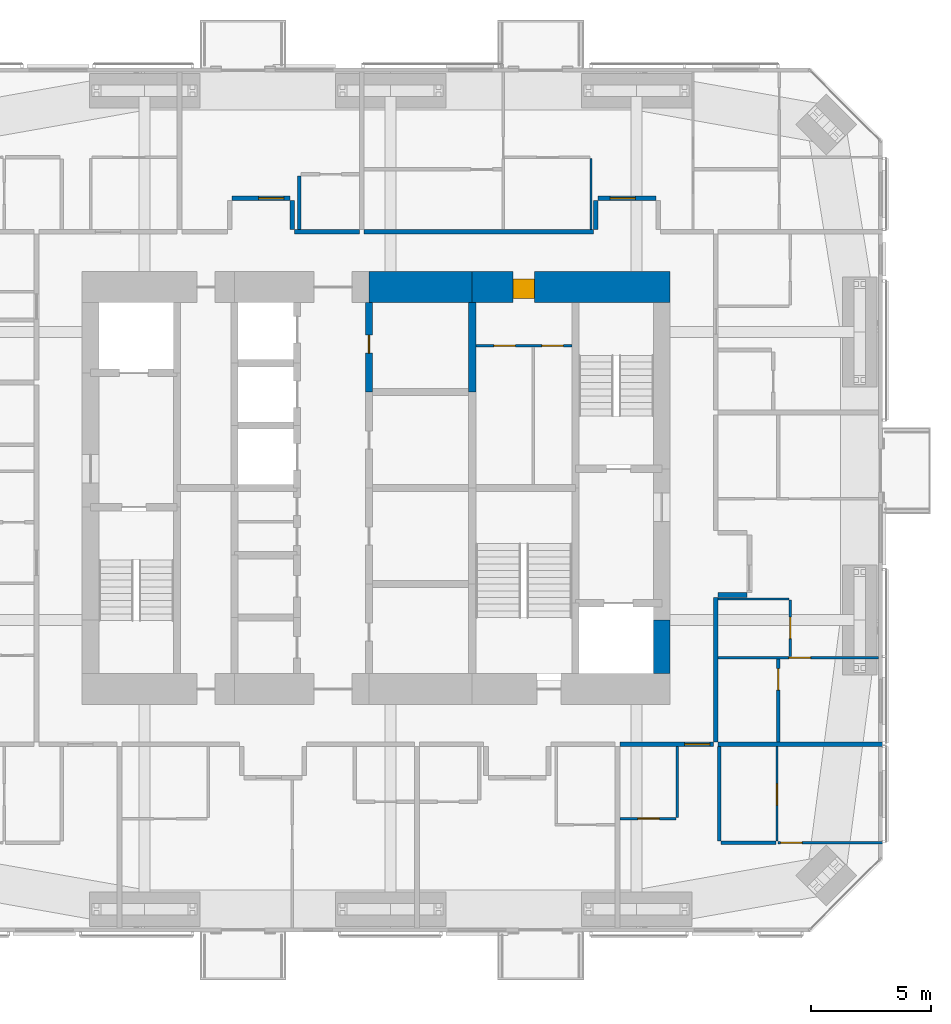
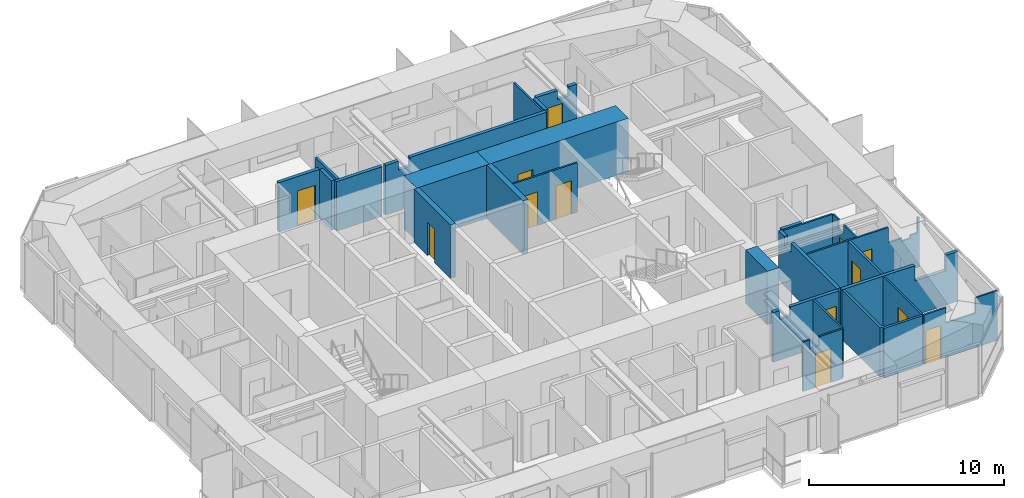
# One storey, part 19 of 23: 28 walls, 13 doors, 13 openings.
"""IFC4 building model written with IfcOpenShell, lengths in metres."""

from ifc_helpers import new_model, si_unit, direction, frame, frame_2d, origin, place, context, subcontext, project, spatial, polyline, rectangle, outline, extrude, material, layer, layer_set, constituent, constituent_set, type_object, element, fill, save


model = new_model("IFC4")

# Units and contexts
model_context = context("Model", 3, precision=1e-05, world=origin(), true_north=direction((0.0, 1.0)))
body_context = subcontext(model_context, "Body", "Model", "MODEL_VIEW")
ifc_project = project(units=[si_unit("LENGTHUNIT", "METRE"), si_unit("AREAUNIT", "SQUARE_METRE"), si_unit("VOLUMEUNIT", "CUBIC_METRE"), si_unit("PLANEANGLEUNIT", "RADIAN"), si_unit("MASSUNIT", "GRAM", prefix="KILO")], contexts=[model_context])

# Site, building, storey
site_placement = place(None, origin())
site = spatial("IfcSite", under=ifc_project, at=site_placement, CompositionType="ELEMENT")
building_placement = place(site_placement, origin())
building = spatial("IfcBuilding", under=site, at=building_placement, Name="Jalousie Tower", CompositionType="ELEMENT")
storey_placement = place(building_placement, frame((0.0, 0.0, 164.39990234375)))
storey = spatial("IfcBuildingStorey", under=building, at=storey_placement, Name="L44", CompositionType="ELEMENT", Elevation=164.39990234375)

# Walls
ifc_material_1 = material(Name="Concrete block ASTM C90", Category="concrete")
ifc_constituent_1 = constituent(ifc_material_1, Name="Body")
ifc_material_2 = material(Name="Render")
ifc_constituent_2 = constituent(ifc_material_2, Name="Finish")
ifc_constituent_set_1 = constituent_set(constituents=[ifc_constituent_1, ifc_constituent_2])
wall_type_1 = type_object("IfcWallType", Name="BATHROOM WALL 150", PredefinedType="PLUMBINGWALL", material=ifc_constituent_set_1)
wall_1_placement = place(storey_placement, frame((46.27490234375, 3.72119140625, 0.0), z_axis=(0.0, 0.0, 1.0), x_axis=(1.0, 0.0, 0.0)))
element("IfcWall", 1, at=wall_1_placement, inside=storey, type_object=wall_type_1, Name="Bathroom Wall 150 L44", PredefinedType="PLUMBINGWALL", context=body_context, shape_type="SweptSolid", body=[
    extrude(rectangle(XDim=2.275146484375, YDim=0.14990234375, at=frame_2d((1.1376953125, 0.0))), origin(), (0.0, 0.0, 1.0), 3.110107421875),
])
wall_2_placement = place(storey_placement, frame((46.199951171875, 3.79638671875, 0.0), z_axis=(0.0, 0.0, 1.0), x_axis=(0.0, 1.0, 0.0)))
element("IfcWall", 2, at=wall_2_placement, inside=storey, type_object=wall_type_1, Name="Bathroom Wall 150 L44", PredefinedType="PLUMBINGWALL", context=body_context, shape_type="SweptSolid", body=[
    extrude(rectangle(XDim=3.9287109375, YDim=0.14990234375, at=frame_2d((1.96435546875, 0.0))), origin(), (0.0, 0.0, 1.0), 3.110107421875),
])
wall_3_placement = place(storey_placement, frame((28.699951171875, 31.5, 0.0), z_axis=(0.0, 0.0, 1.0), x_axis=(0.0, -1.0, 0.0)))
element("IfcWall", 3, at=wall_3_placement, inside=storey, type_object=wall_type_1, Name="Bathroom Wall 150 L44", PredefinedType="PLUMBINGWALL", context=body_context, shape_type="SweptSolid", body=[
    extrude(rectangle(XDim=2.22509765625, YDim=0.14990234375, at=frame_2d((1.112548828125, 0.0))), origin(), (0.0, 0.0, 1.0), 3.110107421875),
])

# Wall, opening, door
wall_4_placement = place(storey_placement, frame((48.64990234375, 7.925048828125, 0.0), z_axis=(0.0, 0.0, 1.0), x_axis=(0.0, 1.0, 0.0)))
wall_4 = element("IfcWall", 4, at=wall_4_placement, inside=storey, type_object=wall_type_1, Name="Bathroom Wall 150 L44", PredefinedType="PLUMBINGWALL", context=body_context, shape_type="SweptSolid", body=[
    extrude(rectangle(XDim=3.449951171875, YDim=0.14990234375, at=frame_2d((1.72509765625, 0.0))), origin(), (0.0, 0.0, 1.0), 3.110107421875),
])
opening_1_placement = place(wall_4_placement, frame((2.14990234375, 0.0, 0.0)))
opening_1 = element("IfcOpeningElement", 5, at=opening_1_placement, cuts=wall_4, Name="Opening D3", PredefinedType="OPENING", context=body_context, shape_type="SweptSolid", body=[
    extrude(rectangle(XDim=0.89990234375, YDim=2.10009765625, at=frame_2d((0.449951171875, 1.050048828125))), frame((0.0, 0.0849609375, 0.0), z_axis=(0.0, -1.0, 0.0), x_axis=(1.0, 0.0, 0.0)), (0.0, 0.0, 1.0), 0.169921875),
])
ifc_material_3 = material(Name="Timber door", Category="wood")
door_type_1 = type_object("IfcDoorType", Name="BATHROOM DOOR 900", OperationType="SINGLE_SWING_LEFT", PredefinedType="DOOR", material=ifc_material_3)
door_1_placement = place(opening_1_placement, origin())
door_1 = element("IfcDoor", 6, at=door_1_placement, inside=storey, type_object=door_type_1, Name="Apartment 4410 bedroom 1 bathroom door", OperationType="SINGLE_SWING_RIGHT", OverallHeight=2.10009765625, OverallWidth=0.89990234375, PredefinedType="DOOR", context=body_context, shape_type="SweptSolid", body=[
    extrude(rectangle(XDim=0.89990234375, YDim=2.10009765625, at=frame_2d((0.449951171875, 1.050048828125))), frame((0.0, 0.02490234375, 0.0), z_axis=(0.0, -1.0, 0.0), x_axis=(1.0, 0.0, 0.0)), (0.0, 0.0, 1.0), 0.050048828125),
])
fill(opening_1, door_1)

ifc_material_4 = material(Name="Concrete f'c 120 MPa", Category="concrete")
ifc_layer_1 = layer(ifc_material_4, 1.300048828125)
ifc_layer_set_1 = layer_set([ifc_layer_1], Name="Concrete f'c 120 MPa")
wall_type_2 = type_object("IfcWallType", Name="CORE WALL 1300", PredefinedType="SHEAR", material=ifc_layer_set_1)
wall_5_placement = place(storey_placement, frame((44.14990234375, 26.875, 0.0), z_axis=(0.0, 0.0, 1.0), x_axis=(-1.0, 0.0, 0.0)))
wall_5 = element("IfcWall", 7, at=wall_5_placement, inside=storey, type_object=wall_type_2, Name="Core wall NA L44", PredefinedType="SHEAR", context=body_context, shape_type="SweptSolid", body=[
    extrude(rectangle(XDim=8.25, YDim=1.300048828125, at=frame_2d((4.125, 0.0))), origin(), (0.0, 0.0, 1.0), 3.35009765625),
])
opening_2_placement = place(wall_5_placement, frame((5.64990234375, 0.0, 0.0)))
opening_2 = element("IfcOpeningElement", 8, at=opening_2_placement, cuts=wall_5, Name="Opening D25", PredefinedType="OPENING", context=body_context, shape_type="SweptSolid", body=[
    extrude(rectangle(XDim=0.89990234375, YDim=2.10009765625, at=frame_2d((0.449951171875, 1.050048828125))), frame((0.0, 0.659912109375, 0.0), z_axis=(0.0, -1.0, 0.0), x_axis=(1.0, 0.0, 0.0)), (0.0, 0.0, 1.0), 1.320068359375),
])
ifc_material_5 = material(Name="Steel fire door", Category="steel")
door_type_2 = type_object("IfcDoorType", Name="SERVICE LOBBY DOOR 900", OperationType="SINGLE_SWING_LEFT", PredefinedType="DOOR", material=ifc_material_5)
door_2_placement = place(opening_2_placement, origin())
door_2 = element("IfcDoor", 9, at=door_2_placement, inside=storey, type_object=door_type_2, Name="Service lobby door", OperationType="SINGLE_SWING_RIGHT", OverallHeight=2.10009765625, OverallWidth=0.89990234375, PredefinedType="DOOR", context=body_context, shape_type="SweptSolid", body=[
    extrude(rectangle(XDim=0.89990234375, YDim=2.10009765625, at=frame_2d((0.449951171875, 1.050048828125))), frame((0.0, 0.47021484375, 0.0), z_axis=(0.0, -1.0, 0.0), x_axis=(1.0, 0.0, 0.0)), (0.0, 0.0, 1.0), 0.800048828125),
])
fill(opening_2, door_2)

# Wall
wall_6_placement = place(storey_placement, frame((35.89990234375, 26.875, 0.0), z_axis=(0.0, 0.0, 1.0), x_axis=(-1.0, 0.0, 0.0)))
element("IfcWall", 10, at=wall_6_placement, inside=storey, type_object=wall_type_2, Name="Core wall NB L44", PredefinedType="SHEAR", context=body_context, shape_type="SweptSolid", body=[
    extrude(rectangle(XDim=4.2998046875, YDim=1.300048828125, at=frame_2d((2.14990234375, 0.0))), origin(), (0.0, 0.0, 1.0), 3.35009765625),
])

# Wall, opening, door
ifc_material_6 = material(Name="Concrete f'c 120 MPa", Category="concrete")
ifc_layer_2 = layer(ifc_material_6, 0.300048828125)
ifc_layer_set_2 = layer_set([ifc_layer_2], Name="Concrete f'c 120 MPa")
wall_type_3 = type_object("IfcWallType", Name="CORE WALL 300", PredefinedType="SHEAR", material=ifc_layer_set_2)
wall_7_placement = place(storey_placement, frame((31.60009765625, 22.5, 0.0), z_axis=(0.0, 0.0, 1.0), x_axis=(0.0, 1.0, 0.0)))
wall_7 = element("IfcWall", 11, at=wall_7_placement, inside=storey, type_object=wall_type_3, Name="Core wall X31.6D L44", PredefinedType="SHEAR", context=body_context, shape_type="SweptSolid", body=[
    extrude(rectangle(XDim=3.72509765625, YDim=0.300048828125, at=frame_2d((1.862548828125, 0.0))), origin(), (0.0, 0.0, 1.0), 3.35009765625),
])
opening_3_placement = place(wall_7_placement, frame((1.625, 0.0, 0.0)))
opening_3 = element("IfcOpeningElement", 12, at=opening_3_placement, cuts=wall_7, Name="Opening D16", PredefinedType="OPENING", context=body_context, shape_type="SweptSolid", body=[
    extrude(rectangle(XDim=0.75, YDim=2.10009765625, at=frame_2d((0.375, 1.050048828125))), frame((0.0, 0.159912109375, 0.0), z_axis=(0.0, -1.0, 0.0), x_axis=(1.0, 0.0, 0.0)), (0.0, 0.0, 1.0), 0.320068359375),
])
ifc_material_7 = material(Name="Steel fire door", Category="steel")
door_type_3 = type_object("IfcDoorType", Name="RISER DOOR 750", OperationType="SINGLE_SWING_LEFT", PredefinedType="DOOR", material=ifc_material_7)
door_3_placement = place(opening_3_placement, frame((0.75, 0.0, 0.0), z_axis=(0.0, 0.0, 1.0), x_axis=(-1.0, 0.0, 0.0)))
door_3 = element("IfcDoor", 13, at=door_3_placement, inside=storey, type_object=door_type_3, Name="Water Services Room door", OperationType="SINGLE_SWING_LEFT", OverallHeight=2.10009765625, OverallWidth=0.75, PredefinedType="DOOR", context=body_context, shape_type="SweptSolid", body=[
    extrude(rectangle(XDim=0.75, YDim=2.10009765625, at=frame_2d((0.375, 1.050048828125))), frame((0.0, 0.02490234375, 0.0), z_axis=(0.0, -1.0, 0.0), x_axis=(1.0, 0.0, 0.0)), (0.0, 0.0, 1.0), 0.050048828125),
])
fill(opening_3, door_3)

# Walls
wall_8_placement = place(storey_placement, frame((35.89990234375, 22.5, 0.0), z_axis=(0.0, 0.0, 1.0), x_axis=(0.0, 1.0, 0.0)))
element("IfcWall", 14, at=wall_8_placement, inside=storey, type_object=wall_type_3, Name="Core wall X35.9D L44", PredefinedType="SHEAR", context=body_context, shape_type="SweptSolid", body=[
    extrude(rectangle(XDim=3.72509765625, YDim=0.300048828125, at=frame_2d((1.862548828125, 0.0))), origin(), (0.0, 0.0, 1.0), 3.35009765625),
])
ifc_material_8 = material(Name="Concrete f'c 120 MPa", Category="concrete")
ifc_layer_3 = layer(ifc_material_8, 0.699951171875)
ifc_layer_set_3 = layer_set([ifc_layer_3], Name="Concrete f'c 120 MPa")
wall_type_4 = type_object("IfcWallType", Name="CORE WALL 700", PredefinedType="SHEAR", material=ifc_layer_set_3)
wall_9_placement = place(storey_placement, frame((43.800048828125, 10.77490234375, 0.0), z_axis=(0.0, 0.0, 1.0), x_axis=(0.0, 1.0, 0.0)))
element("IfcWall", 15, at=wall_9_placement, inside=storey, type_object=wall_type_4, Name="Core wall EA L44", PredefinedType="SHEAR", context=body_context, shape_type="SweptSolid", body=[
    extrude(rectangle(XDim=2.22509765625, YDim=0.699951171875, at=frame_2d((1.112548828125, 0.0))), origin(), (0.0, 0.0, 1.0), 3.35009765625),
])

# Wall, opening, door
ifc_material_9 = material(Name="Concrete block ASTM C90", Category="concrete")
ifc_constituent_3 = constituent(ifc_material_9, Name="Body")
ifc_material_10 = material(Name="Render")
ifc_constituent_4 = constituent(ifc_material_10, Name="Finish")
ifc_constituent_set_2 = constituent_set(constituents=[ifc_constituent_3, ifc_constituent_4])
wall_type_5 = type_object("IfcWallType", Name="CORRIDOR WALL 200", PredefinedType="PARTITIONING", material=ifc_constituent_set_2)
wall_10_placement = place(storey_placement, frame((42.050048828125, 7.824951171875, 0.0), z_axis=(0.0, 0.0, 1.0), x_axis=(1.0, 0.0, 0.0)))
wall_10 = element("IfcWall", 16, at=wall_10_placement, inside=storey, type_object=wall_type_5, Name="Corridor Wall 200 L44", PredefinedType="PARTITIONING", context=body_context, shape_type="SweptSolid", body=[
    extrude(outline(polyline([(0.0, 0.0), (3.89990234375, 0.0), (3.89990234375, 3.110107421875), (1.037353515625, 3.110107421875), (1.037353515625, 2.541015625), (0.362548828125, 2.541015625), (0.362548828125, 3.110107421875), (0.0, 3.110107421875), (0.0, 0.0)])), frame((0.0, 0.10009765625, 0.0), z_axis=(0.0, -1.0, 0.0), x_axis=(1.0, 0.0, 0.0)), (0.0, 0.0, 1.0), 0.199951171875),
])
opening_4_placement = place(wall_10_placement, frame((2.699951171875, 0.0, 0.0)))
opening_4 = element("IfcOpeningElement", 17, at=opening_4_placement, cuts=wall_10, Name="Opening D1", PredefinedType="OPENING", context=body_context, shape_type="SweptSolid", body=[
    extrude(rectangle(XDim=1.050048828125, YDim=2.199951171875, at=frame_2d((0.52490234375, 1.10009765625))), frame((0.0, 0.10986328125, 0.0), z_axis=(0.0, -1.0, 0.0), x_axis=(1.0, 0.0, 0.0)), (0.0, 0.0, 1.0), 0.219970703125),
])
ifc_material_11 = material(Name="Timber fire door", Category="wood")
door_type_4 = type_object("IfcDoorType", Name="APARTMENT ENTRANCE DOOR 1050", OperationType="SINGLE_SWING_LEFT", PredefinedType="DOOR", material=ifc_material_11)
door_4_placement = place(opening_4_placement, frame((1.050048828125, 0.0, 0.0), z_axis=(0.0, 0.0, 1.0), x_axis=(-1.0, 0.0, 0.0)))
door_4 = element("IfcDoor", 18, at=door_4_placement, inside=storey, type_object=door_type_4, Name="Apartment 4404 entrance", OperationType="SINGLE_SWING_RIGHT", OverallHeight=2.199951171875, OverallWidth=1.050048828125, PredefinedType="DOOR", context=body_context, shape_type="SweptSolid", body=[
    extrude(rectangle(XDim=1.050048828125, YDim=2.199951171875, at=frame_2d((0.52490234375, 1.10009765625))), frame((0.0, 0.02490234375, 0.0), z_axis=(0.0, -1.0, 0.0), x_axis=(1.0, 0.0, 0.0)), (0.0, 0.0, 1.0), 0.050048828125),
])
fill(opening_4, door_4)

# Walls
wall_11_placement = place(storey_placement, frame((31.39990234375, 29.175048828125, 0.0), z_axis=(0.0, 0.0, 1.0), x_axis=(1.0, 0.0, 0.0)))
element("IfcWall", 19, at=wall_11_placement, inside=storey, type_object=wall_type_5, Name="Corridor Wall 200 L44", PredefinedType="PARTITIONING", context=body_context, shape_type="SweptSolid", body=[
    extrude(outline(polyline([(0.0, 0.0), (9.550048828125, 0.0), (9.550048828125, 3.110107421875), (1.437255859375, 3.110107421875), (1.437255859375, 2.541015625), (0.7626953125, 2.541015625), (0.7626953125, 3.110107421875), (0.0, 3.110107421875), (0.0, 0.0)])), frame((0.0, 0.10009765625, 0.0), z_axis=(0.0, -1.0, 0.0), x_axis=(1.0, 0.0, 0.0)), (0.0, 0.0, 1.0), 0.199951171875),
])
wall_12_placement = place(storey_placement, frame((46.050048828125, 7.925048828125, 0.0), z_axis=(0.0, 0.0, 1.0), x_axis=(0.0, 1.0, 0.0)))
element("IfcWall", 20, at=wall_12_placement, inside=storey, type_object=wall_type_5, Name="Corridor Wall 200 L44", PredefinedType="PARTITIONING", context=body_context, shape_type="SweptSolid", body=[
    extrude(outline(polyline([(0.0, 0.0), (6.012451171875, 0.0), (6.012451171875, 3.110107421875), (5.412353515625, 3.110107421875), (5.412353515625, 2.541015625), (4.73779296875, 2.541015625), (4.73779296875, 3.110107421875), (0.0, 3.110107421875), (0.0, 0.0)])), frame((0.0, 0.10009765625, 0.0), z_axis=(0.0, -1.0, 0.0), x_axis=(1.0, 0.0, 0.0)), (0.0, 0.0, 1.0), 0.199951171875),
])
wall_13_placement = place(storey_placement, frame((28.5, 29.175048828125, 0.0), z_axis=(0.0, 0.0, 1.0), x_axis=(1.0, 0.0, 0.0)))
element("IfcWall", 21, at=wall_13_placement, inside=storey, type_object=wall_type_5, Name="Corridor Wall 200 L44", PredefinedType="PARTITIONING", context=body_context, shape_type="SweptSolid", body=[
    extrude(rectangle(XDim=2.699951171875, YDim=0.199951171875, at=frame_2d((1.35009765625, 0.0))), origin(), (0.0, 0.0, 1.0), 3.110107421875),
])

# Wall, opening, door
wall_14_placement = place(storey_placement, frame((25.89990234375, 30.574951171875, 0.0), z_axis=(0.0, 0.0, 1.0), x_axis=(1.0, 0.0, 0.0)))
wall_14 = element("IfcWall", 22, at=wall_14_placement, inside=storey, type_object=wall_type_5, Name="Corridor Wall 200 L44", PredefinedType="PARTITIONING", context=body_context, shape_type="SweptSolid", body=[
    extrude(rectangle(XDim=2.400146484375, YDim=0.199951171875, at=frame_2d((1.2001953125, 0.0))), origin(), (0.0, 0.0, 1.0), 3.110107421875),
])
opening_5_placement = place(wall_14_placement, frame((1.10009765625, 0.0, 0.0)))
opening_5 = element("IfcOpeningElement", 23, at=opening_5_placement, cuts=wall_14, Name="Opening D1", PredefinedType="OPENING", context=body_context, shape_type="SweptSolid", body=[
    extrude(rectangle(XDim=1.050048828125, YDim=2.199951171875, at=frame_2d((0.52490234375, 1.10009765625))), frame((0.0, 0.10986328125, 0.0), z_axis=(0.0, -1.0, 0.0), x_axis=(1.0, 0.0, 0.0)), (0.0, 0.0, 1.0), 0.219970703125),
])
door_5_placement = place(opening_5_placement, origin())
door_5 = element("IfcDoor", 24, at=door_5_placement, inside=storey, type_object=door_type_4, Name="Apartment 4406 entrance", OperationType="SINGLE_SWING_RIGHT", OverallHeight=2.199951171875, OverallWidth=1.050048828125, PredefinedType="DOOR", context=body_context, shape_type="SweptSolid", body=[
    extrude(rectangle(XDim=1.050048828125, YDim=2.199951171875, at=frame_2d((0.52490234375, 1.10009765625))), frame((0.0, 0.02490234375, 0.0), z_axis=(0.0, -1.0, 0.0), x_axis=(1.0, 0.0, 0.0)), (0.0, 0.0, 1.0), 0.050048828125),
])
fill(opening_5, door_5)

# Wall
wall_15_placement = place(storey_placement, frame((28.39990234375, 29.27490234375, 0.0), z_axis=(0.0, 0.0, 1.0), x_axis=(0.0, 1.0, 0.0)))
element("IfcWall", 25, at=wall_15_placement, inside=storey, type_object=wall_type_5, Name="Corridor Wall 200 L44", PredefinedType="PARTITIONING", context=body_context, shape_type="SweptSolid", body=[
    extrude(rectangle(XDim=1.2001953125, YDim=0.199951171875, at=frame_2d((0.60009765625, 0.0))), origin(), (0.0, 0.0, 1.0), 3.110107421875),
])

# Wall, opening, door
wall_16_placement = place(storey_placement, frame((41.14990234375, 30.574951171875, 0.0), z_axis=(0.0, 0.0, 1.0), x_axis=(1.0, 0.0, 0.0)))
wall_16 = element("IfcWall", 26, at=wall_16_placement, inside=storey, type_object=wall_type_5, Name="Corridor Wall 200 L44", PredefinedType="PARTITIONING", context=body_context, shape_type="SweptSolid", body=[
    extrude(outline(polyline([(0.0, 0.0), (2.400146484375, 0.0), (2.39990234375, 3.110107421875), (1.9375, 3.110107421875), (1.9375, 2.541015625), (1.2626953125, 2.541015625), (1.2626953125, 3.110107421875), (0.0, 3.110107421875), (0.0, 0.0)])), frame((0.0, 0.10009765625, 0.0), z_axis=(0.0, -1.0, 0.0), x_axis=(1.0, 0.0, 0.0)), (0.0, 0.0, 1.0), 0.199951171875),
])
opening_6_placement = place(wall_16_placement, frame((0.5, 0.0, 0.0)))
opening_6 = element("IfcOpeningElement", 27, at=opening_6_placement, cuts=wall_16, Name="Opening D1", PredefinedType="OPENING", context=body_context, shape_type="SweptSolid", body=[
    extrude(rectangle(XDim=1.050048828125, YDim=2.199951171875, at=frame_2d((0.52490234375, 1.10009765625))), frame((0.0, 0.10986328125, 0.0), z_axis=(0.0, -1.0, 0.0), x_axis=(1.0, 0.0, 0.0)), (0.0, 0.0, 1.0), 0.219970703125),
])
door_6_placement = place(opening_6_placement, origin())
door_6 = element("IfcDoor", 28, at=door_6_placement, inside=storey, type_object=door_type_4, Name="Apartment 4407 entrance", OperationType="SINGLE_SWING_LEFT", OverallHeight=2.199951171875, OverallWidth=1.050048828125, PredefinedType="DOOR", context=body_context, shape_type="SweptSolid", body=[
    extrude(rectangle(XDim=1.050048828125, YDim=2.199951171875, at=frame_2d((0.52490234375, 1.10009765625))), frame((0.0, 0.02490234375, 0.0), z_axis=(0.0, -1.0, 0.0), x_axis=(1.0, 0.0, 0.0)), (0.0, 0.0, 1.0), 0.050048828125),
])
fill(opening_6, door_6)

# Walls
for number, where, z_axis, x_axis, name in (
    (29, (41.050048828125, 29.27490234375, 0.0), (0.0, 0.0, 1.0), (0.0, 1.0, 0.0), "Corridor Wall 200 L44"),
    (30, (46.14990234375, 14.03759765625, 0.0), (0.0, 0.0, 1.0), (1.0, 0.0, 0.0), "Corridor Wall 200 L44"),
):
    element("IfcWall", number, at=place(storey_placement, frame(where, z_axis=z_axis, x_axis=x_axis)), inside=storey, type_object=wall_type_5, Name=name, PredefinedType="PARTITIONING", context=body_context, shape_type="SweptSolid", body=[
        extrude(rectangle(XDim=1.2001953125, YDim=0.199951171875, at=frame_2d((0.60009765625, 0.0))), origin(), (0.0, 0.0, 1.0), 3.110107421875),
    ])

# Wall, opening, door
ifc_material_12 = material(Name="Gypsum board", Category="gypsum")
ifc_constituent_5 = constituent(ifc_material_12, Name="Body")
ifc_material_13 = material(Name="Light-gauge steel studs ASTM A653 SS Grade 33", Category="steel")
ifc_constituent_6 = constituent(ifc_material_13, Name="Framing")
ifc_constituent_set_3 = constituent_set(constituents=[ifc_constituent_5, ifc_constituent_6])
wall_type_6 = type_object("IfcWallType", Name="PARTITION 100", PredefinedType="PARTITIONING", material=ifc_constituent_set_3)
wall_17_placement = place(storey_placement, frame((48.60009765625, 3.79638671875, 0.0), z_axis=(0.0, 0.0, 1.0), x_axis=(0.0, 1.0, 0.0)))
wall_17 = element("IfcWall", 31, at=wall_17_placement, inside=storey, type_object=wall_type_6, Name="Partition 100 L44", PredefinedType="PARTITIONING", context=body_context, shape_type="SweptSolid", body=[
    extrude(rectangle(XDim=3.9287109375, YDim=0.10009765625, at=frame_2d((1.96435546875, 0.0))), origin(), (0.0, 0.0, 1.0), 3.110107421875),
])
opening_7_placement = place(wall_17_placement, frame((1.476806640625, 0.0, 0.0)))
opening_7 = element("IfcOpeningElement", 32, at=opening_7_placement, cuts=wall_17, Name="Opening D3", PredefinedType="OPENING", context=body_context, shape_type="SweptSolid", body=[
    extrude(rectangle(XDim=0.89990234375, YDim=2.10009765625, at=frame_2d((0.449951171875, 1.050048828125))), frame((0.0, 0.06005859375, 0.0), z_axis=(0.0, -1.0, 0.0), x_axis=(1.0, 0.0, 0.0)), (0.0, 0.0, 1.0), 0.1201171875),
])
door_7_placement = place(opening_7_placement, origin())
door_7 = element("IfcDoor", 33, at=door_7_placement, inside=storey, type_object=door_type_1, Name="Apartment 4404 bedroom 1 bathroom door", OperationType="SINGLE_SWING_LEFT", OverallHeight=2.10009765625, OverallWidth=0.89990234375, PredefinedType="DOOR", context=body_context, shape_type="SweptSolid", body=[
    extrude(rectangle(XDim=0.89990234375, YDim=2.10009765625, at=frame_2d((0.449951171875, 1.050048828125))), frame((0.0, 0.02490234375, 0.0), z_axis=(0.0, -1.0, 0.0), x_axis=(1.0, 0.0, 0.0)), (0.0, 0.0, 1.0), 0.050048828125),
])
fill(opening_7, door_7)

wall_18_placement = place(storey_placement, frame((48.64990234375, 3.72119140625, 0.0), z_axis=(0.0, 0.0, 1.0), x_axis=(1.0, 0.0, 0.0)))
wall_18 = element("IfcWall", 34, at=wall_18_placement, inside=storey, type_object=wall_type_6, Name="Partition 100 L44", PredefinedType="PARTITIONING", context=body_context, shape_type="SweptSolid", body=[
    extrude(outline(polyline([(0.0, 0.0), (4.35009765625, 0.0), (4.35009765625, 3.110107421875), (3.049072265625, 3.110107421875), (3.049072265625, 2.150146484375), (1.314453125, 2.150146484375), (1.314453125, 3.110107421875), (0.0, 3.110107421875), (0.0, 0.0)])), frame((0.0, 0.050048828125, 0.0), z_axis=(0.0, -1.0, 0.0), x_axis=(1.0, 0.0, 0.0)), (0.0, 0.0, 1.0), 0.10009765625),
])
opening_8_placement = place(wall_18_placement, frame((0.10009765625, 0.0, 0.0)))
opening_8 = element("IfcOpeningElement", 35, at=opening_8_placement, cuts=wall_18, Name="Opening D2", PredefinedType="OPENING", context=body_context, shape_type="SweptSolid", body=[
    extrude(rectangle(XDim=0.89990234375, YDim=2.10009765625, at=frame_2d((0.449951171875, 1.050048828125))), frame((0.0, 0.06005859375, 0.0), z_axis=(0.0, -1.0, 0.0), x_axis=(1.0, 0.0, 0.0)), (0.0, 0.0, 1.0), 0.1201171875),
])
ifc_material_14 = material(Name="Timber door", Category="wood")
door_type_5 = type_object("IfcDoorType", Name="BEDROOM DOOR 900", OperationType="SINGLE_SWING_LEFT", PredefinedType="DOOR", material=ifc_material_14)
door_8_placement = place(opening_8_placement, origin())
door_8 = element("IfcDoor", 36, at=door_8_placement, inside=storey, type_object=door_type_5, Name="Apartment 4404 bedroom 1 door", OperationType="SINGLE_SWING_LEFT", OverallHeight=2.10009765625, OverallWidth=0.89990234375, PredefinedType="DOOR", context=body_context, shape_type="SweptSolid", body=[
    extrude(rectangle(XDim=0.89990234375, YDim=2.10009765625, at=frame_2d((0.449951171875, 1.050048828125))), frame((0.0, 0.02490234375, 0.0), z_axis=(0.0, -1.0, 0.0), x_axis=(1.0, 0.0, 0.0)), (0.0, 0.0, 1.0), 0.050048828125),
])
fill(opening_8, door_8)

wall_19_placement = place(storey_placement, frame((42.050048828125, 4.72509765625, 0.0), z_axis=(0.0, 0.0, 1.0), x_axis=(1.0, 0.0, 0.0)))
wall_19 = element("IfcWall", 37, at=wall_19_placement, inside=storey, type_object=wall_type_6, Name="Partition 100 L44", PredefinedType="PARTITIONING", context=body_context, shape_type="SweptSolid", body=[
    extrude(outline(polyline([(0.0, 0.0), (2.349853515625, 0.0), (2.35009765625, 3.110107421875), (0.9873046875, 3.110107421875), (0.9873046875, 2.541015625), (0.41259765625, 2.541015625), (0.41259765625, 3.110107421875), (0.0, 3.110107421875), (0.0, 0.0)])), frame((0.0, 0.050048828125, 0.0), z_axis=(0.0, -1.0, 0.0), x_axis=(1.0, 0.0, 0.0)), (0.0, 0.0, 1.0), 0.10009765625),
])
opening_9_placement = place(wall_19_placement, frame((0.75, 0.0, 0.0)))
opening_9 = element("IfcOpeningElement", 38, at=opening_9_placement, cuts=wall_19, Name="Opening D7", PredefinedType="OPENING", context=body_context, shape_type="SweptSolid", body=[
    extrude(rectangle(XDim=0.89990234375, YDim=2.10009765625, at=frame_2d((0.449951171875, 1.050048828125))), frame((0.0, 0.06005859375, 0.0), z_axis=(0.0, -1.0, 0.0), x_axis=(1.0, 0.0, 0.0)), (0.0, 0.0, 1.0), 0.1201171875),
])
ifc_material_15 = material(Name="Timber door", Category="wood")
door_type_6 = type_object("IfcDoorType", Name="INTERNAL DOOR 900", OperationType="SINGLE_SWING_LEFT", PredefinedType="DOOR", material=ifc_material_15)
door_9_placement = place(opening_9_placement, frame((0.89990234375, 0.0, 0.0), z_axis=(0.0, 0.0, 1.0), x_axis=(-1.0, 0.0, 0.0)))
door_9 = element("IfcDoor", 39, at=door_9_placement, inside=storey, type_object=door_type_6, Name="Apartment 4404 kitchen door", OperationType="SINGLE_SWING_RIGHT", OverallHeight=2.10009765625, OverallWidth=0.89990234375, PredefinedType="DOOR", context=body_context, shape_type="SweptSolid", body=[
    extrude(rectangle(XDim=0.89990234375, YDim=2.10009765625, at=frame_2d((0.449951171875, 1.050048828125))), frame((0.0, 0.02490234375, 0.0), z_axis=(0.0, -1.0, 0.0), x_axis=(1.0, 0.0, 0.0)), (0.0, 0.0, 1.0), 0.050048828125),
])
fill(opening_9, door_9)

# Walls
for number, where, z_axis, x_axis, name in (
    (40, (44.449951171875, 4.77490234375, 0.0), (0.0, 0.0, 1.0), (0.0, 1.0, 0.0), "Partition 100 L44"),
    (41, (40.85009765625, 32.22509765625, 0.0), (0.0, 0.0, 1.0), (0.0, -1.0, 0.0), "Partition 100 L44"),
):
    element("IfcWall", number, at=place(storey_placement, frame(where, z_axis=z_axis, x_axis=x_axis)), inside=storey, type_object=wall_type_6, Name=name, PredefinedType="PARTITIONING", context=body_context, shape_type="SweptSolid", body=[
        extrude(rectangle(XDim=2.9501953125, YDim=0.10009765625, at=frame_2d((1.47509765625, 0.0))), origin(), (0.0, 0.0, 1.0), 3.110107421875),
    ])

# Wall, opening, door
wall_20_placement = place(storey_placement, frame((52.824951171875, 11.425048828125, 0.0), z_axis=(0.0, 0.0, 1.0), x_axis=(-1.0, 0.0, 0.0)))
wall_20 = element("IfcWall", 42, at=wall_20_placement, inside=storey, type_object=wall_type_6, Name="Partition 100 L44", PredefinedType="PARTITIONING", context=body_context, shape_type="SweptSolid", body=[
    extrude(outline(polyline([(0.114501953125, 3.110107421875), (0.0, 3.110107421875), (0.0, 0.0), (0.52880859375, 0.0), (0.52880859375, 0.185546875), (1.021240234375, 0.185546875), (1.021240234375, 0.0), (6.675048828125, 0.0), (6.675048828125, 3.110107421875), (1.84912109375, 3.110107421875), (1.84912109375, 2.150146484375), (1.021240234375, 2.150146484375), (1.021240234375, 1.964599609375), (0.52880859375, 1.964599609375), (0.52880859375, 2.150146484375), (0.114501953125, 2.150146484375), (0.114501953125, 3.110107421875)])), frame((0.0, 0.050048828125, 0.0), z_axis=(0.0, -1.0, 0.0), x_axis=(1.0, 0.0, 0.0)), (0.0, 0.0, 1.0), 0.10009765625),
])
opening_10_placement = place(wall_20_placement, frame((2.824951171875, 0.0, 0.0)))
opening_10 = element("IfcOpeningElement", 43, at=opening_10_placement, cuts=wall_20, Name="Opening D2", PredefinedType="OPENING", context=body_context, shape_type="SweptSolid", body=[
    extrude(rectangle(XDim=0.89990234375, YDim=2.10009765625, at=frame_2d((0.449951171875, 1.050048828125))), frame((0.0, 0.06005859375, 0.0), z_axis=(0.0, -1.0, 0.0), x_axis=(1.0, 0.0, 0.0)), (0.0, 0.0, 1.0), 0.1201171875),
])
door_10_placement = place(opening_10_placement, origin())
door_10 = element("IfcDoor", 44, at=door_10_placement, inside=storey, type_object=door_type_5, Name="Apartment 4410 bedroom 1 door", OperationType="SINGLE_SWING_RIGHT", OverallHeight=2.10009765625, OverallWidth=0.89990234375, PredefinedType="DOOR", context=body_context, shape_type="SweptSolid", body=[
    extrude(rectangle(XDim=0.89990234375, YDim=2.10009765625, at=frame_2d((0.449951171875, 1.050048828125))), frame((0.0, 0.02490234375, 0.0), z_axis=(0.0, -1.0, 0.0), x_axis=(1.0, 0.0, 0.0)), (0.0, 0.0, 1.0), 0.050048828125),
])
fill(opening_10, door_10)

wall_21_placement = place(storey_placement, frame((49.14990234375, 11.47509765625, 0.0), z_axis=(0.0, 0.0, 1.0), x_axis=(0.0, 1.0, 0.0)))
wall_21 = element("IfcWall", 45, at=wall_21_placement, inside=storey, type_object=wall_type_6, Name="Partition 100 L44", PredefinedType="PARTITIONING", context=body_context, shape_type="SweptSolid", body=[
    extrude(outline(polyline([(0.0, 0.0), (2.349853515625, 0.0), (2.35009765625, 3.110107421875), (1.8125, 3.110107421875), (1.8125, 2.541015625), (1.23779296875, 2.541015625), (1.23779296875, 3.110107421875), (0.0, 3.110107421875), (0.0, 0.0)])), frame((0.0, 0.050048828125, 0.0), z_axis=(0.0, -1.0, 0.0), x_axis=(1.0, 0.0, 0.0)), (0.0, 0.0, 1.0), 0.10009765625),
])
opening_11_placement = place(wall_21_placement, frame((0.75, 0.0, 0.0)))
opening_11 = element("IfcOpeningElement", 46, at=opening_11_placement, cuts=wall_21, Name="Opening D7", PredefinedType="OPENING", context=body_context, shape_type="SweptSolid", body=[
    extrude(rectangle(XDim=0.89990234375, YDim=2.10009765625, at=frame_2d((0.449951171875, 1.050048828125))), frame((0.0, 0.06005859375, 0.0), z_axis=(0.0, -1.0, 0.0), x_axis=(1.0, 0.0, 0.0)), (0.0, 0.0, 1.0), 0.1201171875),
])
door_11_placement = place(opening_11_placement, frame((0.89990234375, 0.0, 0.0), z_axis=(0.0, 0.0, 1.0), x_axis=(-1.0, 0.0, 0.0)))
door_11 = element("IfcDoor", 47, at=door_11_placement, inside=storey, type_object=door_type_6, Name="Apartment 4410 kitchen door", OperationType="SINGLE_SWING_RIGHT", OverallHeight=2.10009765625, OverallWidth=0.89990234375, PredefinedType="DOOR", context=body_context, shape_type="SweptSolid", body=[
    extrude(rectangle(XDim=0.89990234375, YDim=2.10009765625, at=frame_2d((0.449951171875, 1.050048828125))), frame((0.0, 0.02490234375, 0.0), z_axis=(0.0, -1.0, 0.0), x_axis=(1.0, 0.0, 0.0)), (0.0, 0.0, 1.0), 0.050048828125),
])
fill(opening_11, door_11)

# Wall
wall_22_placement = place(storey_placement, frame((49.10009765625, 13.875, 0.0), z_axis=(0.0, 0.0, 1.0), x_axis=(-1.0, 0.0, 0.0)))
element("IfcWall", 48, at=wall_22_placement, inside=storey, type_object=wall_type_6, Name="Partition 100 L44", PredefinedType="PARTITIONING", context=body_context, shape_type="SweptSolid", body=[
    extrude(rectangle(XDim=2.9501953125, YDim=0.10009765625, at=frame_2d((1.47509765625, 0.0))), origin(), (0.0, 0.0, 1.0), 3.110107421875),
])

# Wall, openings, doors
wall_23_placement = place(storey_placement, frame((36.050048828125, 24.425048828125, 0.0), z_axis=(0.0, 0.0, 1.0), x_axis=(1.0, 0.0, 0.0)))
wall_23 = element("IfcWall", 49, at=wall_23_placement, inside=storey, type_object=wall_type_6, Name="Partition 100 L44", PredefinedType="PARTITIONING", context=body_context, shape_type="SweptSolid", body=[
    extrude(rectangle(XDim=4.0, YDim=0.10009765625, at=frame_2d((2.0, 0.0))), origin(), (0.0, 0.0, 1.0), 3.110107421875),
])
opening_12_placement = place(wall_23_placement, frame((0.75, 0.0, 0.0)))
opening_12 = element("IfcOpeningElement", 50, at=opening_12_placement, cuts=wall_23, Name="Opening D7", PredefinedType="OPENING", context=body_context, shape_type="SweptSolid", body=[
    extrude(rectangle(XDim=0.89990234375, YDim=2.10009765625, at=frame_2d((0.449951171875, 1.050048828125))), frame((0.0, 0.06005859375, 0.0), z_axis=(0.0, -1.0, 0.0), x_axis=(1.0, 0.0, 0.0)), (0.0, 0.0, 1.0), 0.1201171875),
])
opening_13_placement = place(wall_23_placement, frame((2.75, 0.0, 0.0)))
opening_13 = element("IfcOpeningElement", 51, at=opening_13_placement, cuts=wall_23, Name="Opening D7", PredefinedType="OPENING", context=body_context, shape_type="SweptSolid", body=[
    extrude(rectangle(XDim=0.89990234375, YDim=2.10009765625, at=frame_2d((0.449951171875, 1.050048828125))), frame((0.0, 0.06005859375, 0.0), z_axis=(0.0, -1.0, 0.0), x_axis=(1.0, 0.0, 0.0)), (0.0, 0.0, 1.0), 0.1201171875),
])
door_12_placement = place(opening_12_placement, frame((0.89990234375, 0.0, 0.0), z_axis=(0.0, 0.0, 1.0), x_axis=(-1.0, 0.0, 0.0)))
door_12 = element("IfcDoor", 52, at=door_12_placement, inside=storey, type_object=door_type_6, Name="IT room door", OperationType="SINGLE_SWING_LEFT", OverallHeight=2.10009765625, OverallWidth=0.89990234375, PredefinedType="DOOR", context=body_context, shape_type="SweptSolid", body=[
    extrude(rectangle(XDim=0.89990234375, YDim=2.10009765625, at=frame_2d((0.449951171875, 1.050048828125))), frame((0.0, 0.02490234375, 0.0), z_axis=(0.0, -1.0, 0.0), x_axis=(1.0, 0.0, 0.0)), (0.0, 0.0, 1.0), 0.050048828125),
])
fill(opening_12, door_12)
door_13_placement = place(opening_13_placement, frame((0.89990234375, 0.0, 0.0), z_axis=(0.0, 0.0, 1.0), x_axis=(-1.0, 0.0, 0.0)))
door_13 = element("IfcDoor", 53, at=door_13_placement, inside=storey, type_object=door_type_6, Name="Staff WC door", OperationType="SINGLE_SWING_RIGHT", OverallHeight=2.10009765625, OverallWidth=0.89990234375, PredefinedType="DOOR", context=body_context, shape_type="SweptSolid", body=[
    extrude(rectangle(XDim=0.89990234375, YDim=2.10009765625, at=frame_2d((0.449951171875, 1.050048828125))), frame((0.0, 0.02490234375, 0.0), z_axis=(0.0, -1.0, 0.0), x_axis=(1.0, 0.0, 0.0)), (0.0, 0.0, 1.0), 0.050048828125),
])
fill(opening_13, door_13)

# Wall
ifc_material_16 = material(Name="Concrete block ASTM C90", Category="concrete")
ifc_constituent_7 = constituent(ifc_material_16, Name="Body")
ifc_material_17 = material(Name="Render")
ifc_constituent_8 = constituent(ifc_material_17, Name="Finish")
ifc_constituent_set_4 = constituent_set(constituents=[ifc_constituent_7, ifc_constituent_8])
wall_type_7 = type_object("IfcWallType", Name="PARTY WALL 200", PredefinedType="PARTITIONING", material=ifc_constituent_set_4)
wall_24_placement = place(storey_placement, frame((46.14990234375, 7.824951171875, 0.0), z_axis=(0.0, 0.0, 1.0), x_axis=(1.0, 0.0, 0.0)))
element("IfcWall", 54, at=wall_24_placement, inside=storey, type_object=wall_type_7, Name="Party Wall 200 L44", PredefinedType="PARTITIONING", context=body_context, shape_type="SweptSolid", body=[
    extrude(outline(polyline([(0.0, 0.0), (6.85009765625, 0.0), (6.85009765625, 3.110107421875), (6.138427734375, 3.110107421875), (6.138427734375, 2.150146484375), (4.302734375, 2.150146484375), (4.302734375, 3.110107421875), (0.0, 3.110107421875), (0.0, 0.0)])), frame((0.0, 0.10009765625, 0.0), z_axis=(0.0, -1.0, 0.0), x_axis=(1.0, 0.0, 0.0)), (0.0, 0.0, 1.0), 0.199951171875),
])

save(model, "model.ifc")
